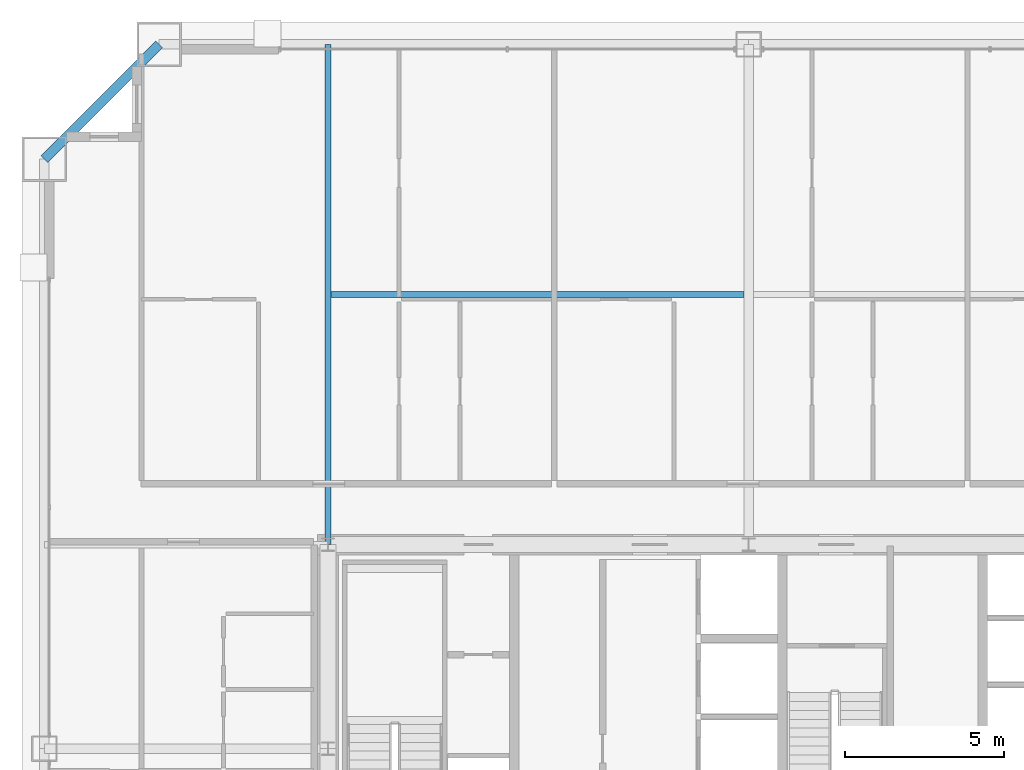
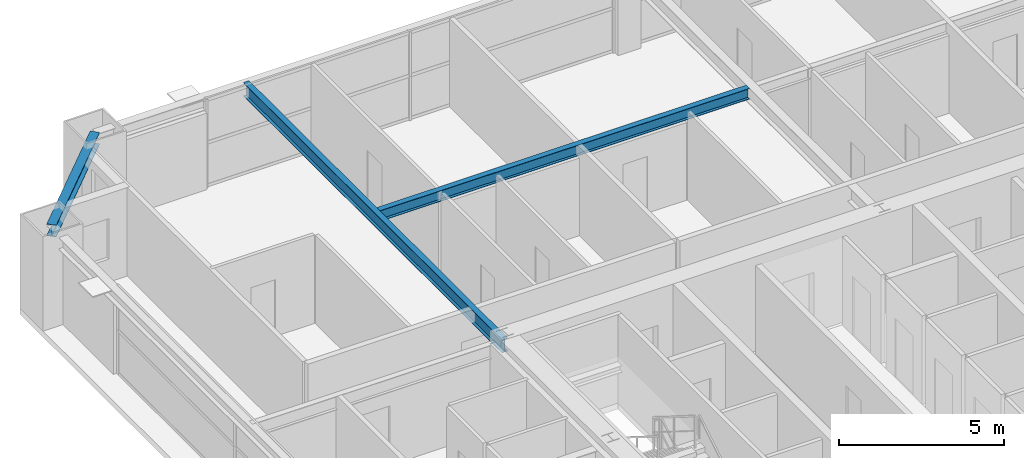
# One storey, part 24 of 38: 3 beams.
"""IFC4 building model written with IfcOpenShell, lengths in metres."""

import ifcopenshell
import ifcopenshell.guid

model = None  # the IFC model being written
_history = None  # IfcOwnerHistory: only IFC2X3 demands one
_inside = {}  # id of a spatial element -> (the spatial element, [elements in it])
_under = {}  # id of a project, library or spatial element -> (it, [spatial elements below it])
_declared = {}  # id of a project -> (the project, [libraries it declares])
_typed = {}  # id of a type object -> (the type object, [elements of that type])
_made_of = {}  # id of a material, layer set ... -> (it, [elements and type objects made of it])


def new_model(schema):
    """Start an empty IFC model of exactly this schema.

    Asked for "IFC4X3", IfcOpenShell would pick the latest addendum, in which some entities
    have other attributes; the version numbers below select the first issue.
    IFC2X3 requires an IfcOwnerHistory on every rooted entity: one is made here for all.
    """
    global model, _history
    if schema == "IFC4X3":
        model = ifcopenshell.file(schema_version=(4, 3, 0, 0))
    else:
        model = ifcopenshell.file(schema=schema)
    _inside.clear()
    _under.clear()
    _declared.clear()
    _typed.clear()
    _made_of.clear()
    _history = None
    if model.schema == "IFC2X3":
        org = make("IfcOrganization", Name="unknown")
        user = make(
            "IfcPersonAndOrganization",
            ThePerson=make("IfcPerson", FamilyName="unknown"),
            TheOrganization=org,
        )
        app = make(
            "IfcApplication",
            ApplicationDeveloper=org,
            Version="unknown",
            ApplicationFullName="unknown",
            ApplicationIdentifier="unknown",
        )
        _history = make(
            "IfcOwnerHistory",
            OwningUser=user,
            OwningApplication=app,
            ChangeAction="ADDED",
            CreationDate=0,
        )
    return model


def make(cls, **values):
    """One entity of the class cls with the attributes given. An attribute that is None is left unset."""
    return model.create_entity(
        cls, **{name: value for name, value in values.items() if value is not None}
    )


def rooted(cls, **values):
    """An entity with a GlobalId (a new one), such as an element, a storey or a relation."""
    return make(cls, GlobalId=ifcopenshell.guid.new(), OwnerHistory=_history, **values)


def si_unit(unit_type, name, prefix=None):
    """IfcSIUnit, for example si_unit("LENGTHUNIT", "METRE", prefix="MILLI")."""
    return make("IfcSIUnit", UnitType=unit_type, Prefix=prefix, Name=name)


def assignment(units):
    """IfcUnitAssignment: the units of a project."""
    return None if units is None else make("IfcUnitAssignment", Units=units)


def point(xyz):
    """IfcCartesianPoint."""
    return None if xyz is None else make("IfcCartesianPoint", Coordinates=xyz)


def direction(xyz):
    """IfcDirection."""
    return None if xyz is None else make("IfcDirection", DirectionRatios=xyz)


def frame(location, z_axis=None, x_axis=None):
    """IfcAxis2Placement3D, a coordinate frame: its origin and axes. An axis left out is left unset."""
    return make(
        "IfcAxis2Placement3D",
        Location=point(location),
        Axis=direction(z_axis),
        RefDirection=direction(x_axis),
    )


def frame_2d(location, x_axis=None):
    """IfcAxis2Placement2D, a coordinate frame in the plane: its origin and x axis."""
    return make(
        "IfcAxis2Placement2D", Location=point(location), RefDirection=direction(x_axis)
    )


def origin():
    """The frame at (0, 0, 0) with its axes left unset."""
    return frame((0.0, 0.0, 0.0))


def origin_2d():
    """The frame at (0, 0) in the plane with its x axis left unset."""
    return frame_2d((0.0, 0.0))


def place(relative_to, where):
    """IfcLocalPlacement: puts the frame where relative to a parent placement (None: the world)."""
    return make(
        "IfcLocalPlacement", PlacementRelTo=relative_to, RelativePlacement=where
    )


def context(
    kind, dimensions, precision=None, world=None, true_north=None, identifier=None
):
    """IfcGeometricRepresentationContext, for example the 3D "Model" context."""
    return make(
        "IfcGeometricRepresentationContext",
        ContextIdentifier=identifier,
        ContextType=kind,
        CoordinateSpaceDimension=dimensions,
        Precision=precision,
        WorldCoordinateSystem=world,
        TrueNorth=true_north,
    )


def subcontext(parent, identifier, kind, view, scale=None):
    """IfcGeometricRepresentationSubContext, for example "Body" below "Model"."""
    return make(
        "IfcGeometricRepresentationSubContext",
        ContextIdentifier=identifier,
        ContextType=kind,
        ParentContext=parent,
        TargetScale=scale,
        TargetView=view,
    )


def project(units=None, contexts=None):
    """IfcProject with its units and contexts."""
    return rooted(
        "IfcProject",
        Name="project",
        RepresentationContexts=contexts,
        UnitsInContext=assignment(units),
    )


def spatial(cls, under=None, at=None, **own):
    """A site, building, storey or space (cls), placed at a placement, below another one or the project."""
    s = rooted(cls, ObjectPlacement=at, **own)
    if under is not None:
        _under.setdefault(under.id(), (under, []))[1].append(s)
    return s


def profile(cls, at=None, kind="AREA", **sizes):
    """A parametric profile (cls). Its sizes go by their IFC names, for example OverallWidth=200.0."""
    return make(cls, ProfileType=kind, Position=at, **sizes)


def i_section(**sizes):
    """IfcIShapeProfileDef."""
    return profile("IfcIShapeProfileDef", **sizes)


def extrude(swept, where, along, depth):
    """IfcExtrudedAreaSolid: the profile swept, set in the frame where, extruded along a direction by depth."""
    return make(
        "IfcExtrudedAreaSolid",
        SweptArea=swept,
        Position=where,
        ExtrudedDirection=direction(along),
        Depth=depth,
    )


def shape(context_of_items, identifier, shape_type, items):
    """IfcShapeRepresentation: the items that make up one representation, for example the "Body"."""
    return make(
        "IfcShapeRepresentation",
        ContextOfItems=context_of_items,
        RepresentationIdentifier=identifier,
        RepresentationType=shape_type,
        Items=items,
    )


def source(mapping_origin, context_of_items, identifier, shape_type, items):
    """IfcRepresentationMap: a shape defined once, which mapped items show again and again."""
    return make(
        "IfcRepresentationMap",
        MappingOrigin=mapping_origin,
        MappedRepresentation=shape(context_of_items, identifier, shape_type, items),
    )


def transform(
    local_origin,
    x_axis=None,
    y_axis=None,
    z_axis=None,
    scale=None,
    scale2=None,
    scale3=None,
    uniform=True,
):
    """IfcCartesianTransformationOperator3D, or its non-uniform kind. x_axis, y_axis, z_axis: its Axis1, 2, 3."""
    if uniform:
        return make(
            "IfcCartesianTransformationOperator3D",
            Axis1=direction(x_axis),
            Axis2=direction(y_axis),
            LocalOrigin=point(local_origin),
            Scale=scale,
            Axis3=direction(z_axis),
        )
    return make(
        "IfcCartesianTransformationOperator3DnonUniform",
        Axis1=direction(x_axis),
        Axis2=direction(y_axis),
        LocalOrigin=point(local_origin),
        Scale=scale,
        Axis3=direction(z_axis),
        Scale2=scale2,
        Scale3=scale3,
    )


def mapped(mapping_source, mapping_target):
    """IfcMappedItem: shows the shape of a source again, moved by a transform."""
    return make(
        "IfcMappedItem", MappingSource=mapping_source, MappingTarget=mapping_target
    )


def material(Name=None, Category=None):
    """IfcMaterial."""
    return make("IfcMaterial", Name=Name, Category=Category)


def material_profile(
    of_material, cross_section, Name=None, Category=None, Priority=None
):
    """IfcMaterialProfile: a cross section and its material."""
    return make(
        "IfcMaterialProfile",
        Name=Name,
        Material=of_material,
        Profile=cross_section,
        Priority=Priority,
        Category=Category,
    )


def profile_set(profiles, Name=None, composite=None):
    """IfcMaterialProfileSet."""
    return make(
        "IfcMaterialProfileSet",
        Name=Name,
        MaterialProfiles=profiles,
        CompositeProfile=composite,
    )


def made_of(thing, what):
    """Note that an element or type object is made of a material, layer set ...; save() writes the relation."""
    if what is not None:
        _made_of.setdefault(what.id(), (what, []))[1].append(thing)
    return thing


def type_object(cls, material=None, **own):
    """A type object (cls), such as IfcWallType, which elements share."""
    return made_of(rooted(cls, **own), material)


def element(
    cls,
    number,
    at=None,
    inside=None,
    cuts=None,
    type_object=None,
    material=None,
    context=None,
    identifier="Body",
    shape_type=None,
    held_by="IfcProductDefinitionShape",
    body=None,
    shapes=None,
    **own,
):
    """One element of the class cls, such as IfcWall. Its Tag is "e" and its number.

    at: its placement. inside: the storey or other place that contains it. cuts: it is an
    opening in that element (IfcRelVoidsElement). A single representation is given by context,
    identifier, shape_type and body (its items); several are given by shapes. held_by: the class
    of the entity that holds the representations. save() writes the other relations.
    """
    e = rooted(cls, Tag="e%d" % number, ObjectPlacement=at, **own)
    if body is not None:
        shapes = [shape(context, identifier, shape_type, body)]
    if shapes is not None:
        e.Representation = make(held_by, Representations=shapes)
    if inside is not None:
        _inside.setdefault(inside.id(), (inside, []))[1].append(e)
    if cuts is not None:
        rooted(
            "IfcRelVoidsElement", RelatingBuildingElement=cuts, RelatedOpeningElement=e
        )
    if type_object is not None:
        _typed.setdefault(type_object.id(), (type_object, []))[1].append(e)
    return made_of(e, material)


def aggregate(whole, parts):
    """IfcRelAggregates: a whole, such as a stair, and the parts it consists of."""
    return rooted("IfcRelAggregates", RelatingObject=whole, RelatedObjects=parts)


def save(model, path):
    """Write the relations noted so far, then the file.

    IfcRelAggregates (storeys below a building ...), IfcRelContainedInSpatialStructure (elements
    in a storey), IfcRelDefinesByType, IfcRelAssociatesMaterial and IfcRelDeclares: one each for
    every whole, place, type object, material and project.
    """
    for whole, parts in _under.values():
        aggregate(whole, parts)
    for where, things in _inside.values():
        rooted(
            "IfcRelContainedInSpatialStructure",
            RelatedElements=things,
            RelatingStructure=where,
        )
    for kind, things in _typed.values():
        rooted("IfcRelDefinesByType", RelatedObjects=things, RelatingType=kind)
    for what, things in _made_of.values():
        rooted("IfcRelAssociatesMaterial", RelatedObjects=things, RelatingMaterial=what)
    for by, libraries in _declared.values():
        rooted("IfcRelDeclares", RelatingContext=by, RelatedDefinitions=libraries)
    model.write(path)


model = new_model("IFC4")

# Units and contexts
model_context = context("Model", 3, precision=1e-05, world=origin(), true_north=direction((0.0, 1.0)))
body_context = subcontext(model_context, "Body", "Model", "MODEL_VIEW")
ifc_project = project(units=[si_unit("LENGTHUNIT", "METRE"), si_unit("AREAUNIT", "SQUARE_METRE"), si_unit("VOLUMEUNIT", "CUBIC_METRE"), si_unit("PLANEANGLEUNIT", "RADIAN"), si_unit("MASSUNIT", "GRAM", prefix="KILO"), si_unit("THERMODYNAMICTEMPERATUREUNIT", "KELVIN"), si_unit("POWERUNIT", "WATT")], contexts=[model_context])

# Site, building, storey
site_placement = place(None, origin())
site = spatial("IfcSite", under=ifc_project, at=site_placement, CompositionType="ELEMENT")
building_placement = place(site_placement, origin())
building = spatial("IfcBuilding", under=site, at=building_placement, Name="Yuzanri Waterfront Tower", CompositionType="ELEMENT")
storey_placement = place(building_placement, frame((0.0, 0.0, 209.0)))
storey = spatial("IfcBuildingStorey", under=building, at=storey_placement, Name="L55", CompositionType="ELEMENT", Elevation=209.0)

# Beams
ifc_material_1 = material(Name="Steel Q355B", Category="steel")
ifc_material_profile_1 = material_profile(ifc_material_1, i_section(OverallWidth=0.199951171875, OverallDepth=0.39990234375, WebThickness=0.008056640625, FlangeThickness=0.012939453125, at=origin_2d()), Name="HN 400x200x8x13")
ifc_profile_set_1 = profile_set([ifc_material_profile_1], Name="Steel Q355B")
beam_type_1 = type_object("IfcBeamType", Name="Floor Joist Q355B HN 400x200", PredefinedType="JOIST", material=ifc_profile_set_1)
shared_shape_1 = source(origin(), body_context, "Body", "SweptSolid", [
    extrude(i_section(OverallWidth=0.199951171875, OverallDepth=0.39990234375, WebThickness=0.008056640625, FlangeThickness=0.012939453125, at=origin_2d()), origin(), (0.0, 0.0, 1.0), 12.9501953125),
])
beam_1_placement = place(storey_placement, frame((23.89990234375, 40.050048828125, 3.080078125), z_axis=(1.0, 0.0, 0.0), x_axis=(0.0, 1.0, 0.0)))
element("IfcBeam", 1, at=beam_1_placement, inside=storey, type_object=beam_type_1, Name="L55 North Bay Joist W", PredefinedType="JOIST", context=body_context, shape_type="MappedRepresentation", body=[
    mapped(shared_shape_1, transform((0.0, 0.0, 0.0), scale=1.0)),
])
ifc_material_2 = material(Name="Steel Q355B", Category="steel")
ifc_material_profile_2 = material_profile(ifc_material_2, i_section(OverallWidth=0.300048828125, OverallDepth=0.43994140625, WebThickness=0.010986328125, FlangeThickness=0.01806640625, at=origin_2d()), Name="HM 440x300x11x18")
ifc_profile_set_2 = profile_set([ifc_material_profile_2], Name="Steel Q355B")
beam_type_2 = type_object("IfcBeamType", Name="Perimeter Spandrel Q355B HM 440x300", PredefinedType="SPANDREL", material=ifc_profile_set_2)
shared_shape_2 = source(origin(), body_context, "Body", "SweptSolid", [
    extrude(i_section(OverallWidth=0.300048828125, OverallDepth=0.43994140625, WebThickness=0.010986328125, FlangeThickness=0.01806640625, at=origin_2d()), origin(), (0.0, 0.0, 1.0), 5.091064453125),
])
beam_2_placement = place(storey_placement, frame((18.5, 47.89990234375, 3.06005859375), z_axis=(-0.707130757816, -0.707082803744, 0.0), x_axis=(0.707082803744, -0.707130757816, 0.0)))
element("IfcBeam", 2, at=beam_2_placement, inside=storey, type_object=beam_type_2, Name="L55 Perimeter Spandrel N1-W3", PredefinedType="SPANDREL", context=body_context, shape_type="MappedRepresentation", body=[
    mapped(shared_shape_2, transform((0.0, 0.0, 0.0), scale=1.0)),
])
ifc_material_3 = material(Name="Steel Q355B", Category="steel")
ifc_material_profile_3 = material_profile(ifc_material_3, i_section(OverallWidth=0.199951171875, OverallDepth=0.5, WebThickness=0.010009765625, FlangeThickness=0.01611328125, at=origin_2d()), Name="HN 500x200x10x16")
ifc_profile_set_3 = profile_set([ifc_material_profile_3], Name="Steel Q355B")
beam_type_3 = type_object("IfcBeamType", Name="Secondary Floor Beam Q355B HN 500x200", PredefinedType="BEAM", material=ifc_profile_set_3)
shared_shape_3 = source(origin(), body_context, "Body", "SweptSolid", [
    extrude(i_section(OverallWidth=0.199951171875, OverallDepth=0.5, WebThickness=0.010009765625, FlangeThickness=0.01611328125, at=origin_2d()), origin(), (0.0, 0.0, 1.0), 15.699951171875),
])
beam_3_placement = place(storey_placement, frame((23.800048828125, 32.199951171875, 3.030029296875), z_axis=(0.0, 1.0, 0.0), x_axis=(-1.0, 0.0, 0.0)))
element("IfcBeam", 3, at=beam_3_placement, inside=storey, type_object=beam_type_3, Name="L55 North-West Core Line Beam", PredefinedType="BEAM", context=body_context, shape_type="MappedRepresentation", body=[
    mapped(shared_shape_3, transform((0.0, 0.0, 0.0), scale=1.0)),
])

save(model, "model.ifc")
